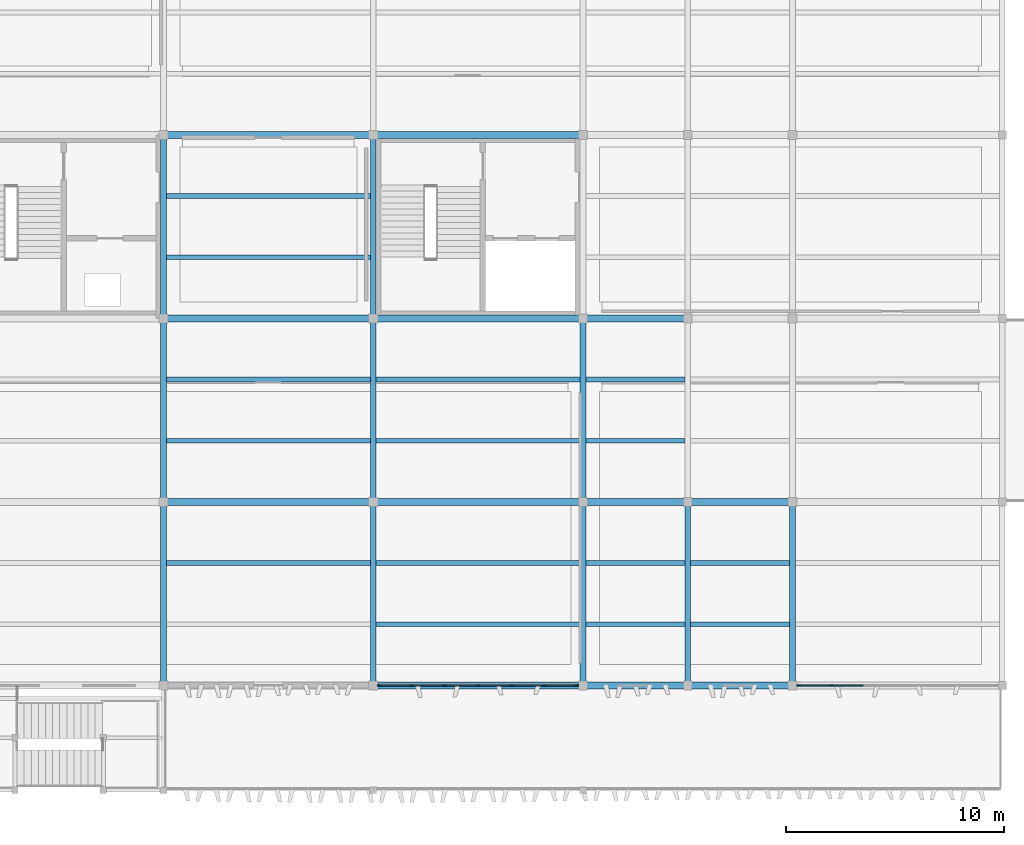
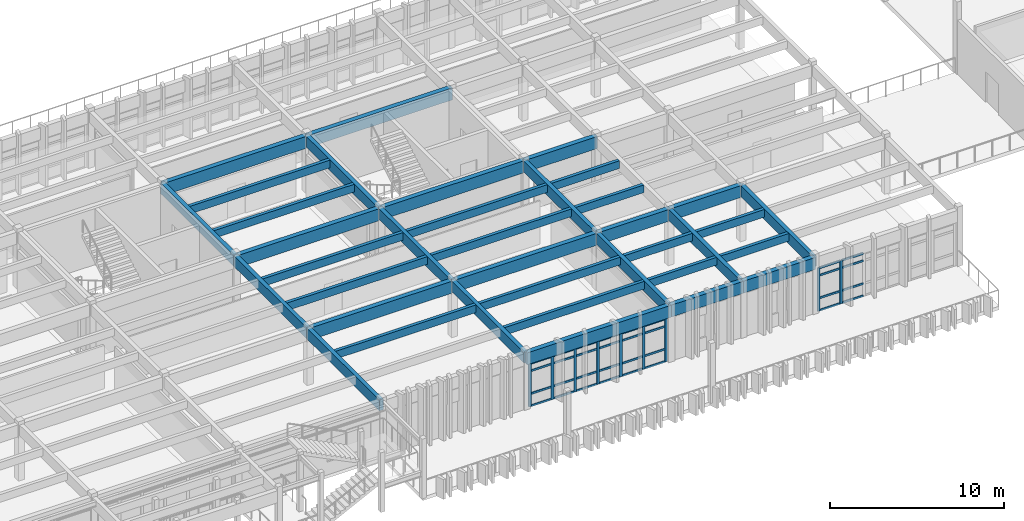
# One storey, part 15 of 61: 41 members, 37 beams, 2 elements without a shape of their own.
"""IFC4 building model written with IfcOpenShell, lengths in metres."""

from ifc_helpers import new_model, si_unit, direction, frame, origin, origin_2d, place, context, subcontext, project, spatial, rectangle, extrude, material, layer, layer_set, material_profile, profile_set, type_object, element, aggregate, save


model = new_model("IFC4")

# Units and contexts
model_context = context("Model", 3, precision=1e-05, world=origin(), true_north=direction((0.0, 1.0)))
body_context = subcontext(model_context, "Body", "Model", "MODEL_VIEW")
ifc_project = project(units=[si_unit("LENGTHUNIT", "METRE"), si_unit("AREAUNIT", "SQUARE_METRE"), si_unit("VOLUMEUNIT", "CUBIC_METRE"), si_unit("PLANEANGLEUNIT", "RADIAN"), si_unit("MASSUNIT", "GRAM", prefix="KILO")], contexts=[model_context])

# Site, building, storey
site_placement = place(None, origin())
site = spatial("IfcSite", under=ifc_project, at=site_placement, CompositionType="ELEMENT")
building_placement = place(site_placement, origin())
building = spatial("IfcBuilding", under=site, at=building_placement, Name="Kolvemor Railside Polytechnic", CompositionType="ELEMENT")
storey_placement = place(building_placement, frame((0.0, 0.0, 10.199951171875)))
storey = spatial("IfcBuildingStorey", under=building, at=storey_placement, Name="L02", CompositionType="ELEMENT", Elevation=10.199951171875)

# Beams
ifc_material_1 = material(Name="Glulam GL28h", Category="wood")
ifc_material_profile_1 = material_profile(ifc_material_1, rectangle(XDim=0.264892578125, YDim=0.760009765625, at=origin_2d()), Name="GL265x760")
ifc_profile_set_1 = profile_set([ifc_material_profile_1], Name="Glulam GL28h")
beam_type_1 = type_object("IfcBeamType", Name="BM-GL-GIRD1", PredefinedType="BEAM", material=ifc_profile_set_1)
beam_1_placement = place(storey_placement, frame((96.0, 4.800048828125, 3.570068359375), z_axis=(0.0, 1.0, 0.0), x_axis=(-1.0, 0.0, 0.0)))
element("IfcBeam", 1, at=beam_1_placement, inside=storey, type_object=beam_type_1, Name="Primary Girder L03-GY 1281", PredefinedType="BEAM", context=body_context, shape_type="SweptSolid", body=[
    extrude(rectangle(XDim=0.264892578125, YDim=0.760009765625, at=origin_2d()), origin(), (0.0, 0.0, 1.0), 8.39990234375),
])
beam_2_placement = place(storey_placement, frame((96.0, 13.199951171875, 3.570068359375), z_axis=(0.0, 1.0, 0.0), x_axis=(-1.0, 0.0, 0.0)))
element("IfcBeam", 2, at=beam_2_placement, inside=storey, type_object=beam_type_1, Name="Primary Girder L03-GY 1282", PredefinedType="BEAM", context=body_context, shape_type="SweptSolid", body=[
    extrude(rectangle(XDim=0.264892578125, YDim=0.760009765625, at=origin_2d()), origin(), (0.0, 0.0, 1.0), 8.400146484375),
])
for number, where, z_axis, x_axis, name in (
    (3, (96.0, 21.60009765625, 3.570068359375), (0.0, 1.0, 0.0), (-1.0, 0.0, 0.0), "Primary Girder L03-GY 1283"),
    (4, (105.60009765625, 4.800048828125, 3.570068359375), (0.0, 1.0, 0.0), (-1.0, 0.0, 0.0), "Primary Girder L03-GY 1285"),
):
    element("IfcBeam", number, at=place(storey_placement, frame(where, z_axis=z_axis, x_axis=x_axis)), inside=storey, type_object=beam_type_1, Name=name, PredefinedType="BEAM", context=body_context, shape_type="SweptSolid", body=[
        extrude(rectangle(XDim=0.264892578125, YDim=0.760009765625, at=origin_2d()), origin(), (0.0, 0.0, 1.0), 8.39990234375),
    ])
beam_3_placement = place(storey_placement, frame((105.60009765625, 13.199951171875, 3.570068359375), z_axis=(0.0, 1.0, 0.0), x_axis=(-1.0, 0.0, 0.0)))
element("IfcBeam", 5, at=beam_3_placement, inside=storey, type_object=beam_type_1, Name="Primary Girder L03-GY 1286", PredefinedType="BEAM", context=body_context, shape_type="SweptSolid", body=[
    extrude(rectangle(XDim=0.264892578125, YDim=0.760009765625, at=origin_2d()), origin(), (0.0, 0.0, 1.0), 8.400146484375),
])
for number, where, z_axis, x_axis, name in (
    (6, (105.60009765625, 21.60009765625, 3.570068359375), (0.0, 1.0, 0.0), (-1.0, 0.0, 0.0), "Primary Girder L03-GY 1287"),
    (7, (115.199951171875, 4.800048828125, 3.570068359375), (0.0, 1.0, 0.0), (-1.0, 0.0, 0.0), "Primary Girder L03-GY 1289"),
):
    element("IfcBeam", number, at=place(storey_placement, frame(where, z_axis=z_axis, x_axis=x_axis)), inside=storey, type_object=beam_type_1, Name=name, PredefinedType="BEAM", context=body_context, shape_type="SweptSolid", body=[
        extrude(rectangle(XDim=0.264892578125, YDim=0.760009765625, at=origin_2d()), origin(), (0.0, 0.0, 1.0), 8.39990234375),
    ])
beam_4_placement = place(storey_placement, frame((115.199951171875, 13.199951171875, 3.570068359375), z_axis=(0.0, 1.0, 0.0), x_axis=(-1.0, 0.0, 0.0)))
element("IfcBeam", 8, at=beam_4_placement, inside=storey, type_object=beam_type_1, Name="Primary Girder L03-GY 1290", PredefinedType="BEAM", context=body_context, shape_type="SweptSolid", body=[
    extrude(rectangle(XDim=0.264892578125, YDim=0.760009765625, at=origin_2d()), origin(), (0.0, 0.0, 1.0), 8.400146484375),
])
for number, where, z_axis, x_axis, name in (
    (9, (120.0, 4.800048828125, 3.570068359375), (0.0, 1.0, 0.0), (-1.0, 0.0, 0.0), "Primary Girder L03-GY 1293"),
    (10, (124.800048828125, 4.800048828125, 3.570068359375), (0.0, 1.0, 0.0), (-1.0, 0.0, 0.0), "Primary Girder L03-GY 1297"),
):
    element("IfcBeam", number, at=place(storey_placement, frame(where, z_axis=z_axis, x_axis=x_axis)), inside=storey, type_object=beam_type_1, Name=name, PredefinedType="BEAM", context=body_context, shape_type="SweptSolid", body=[
        extrude(rectangle(XDim=0.264892578125, YDim=0.760009765625, at=origin_2d()), origin(), (0.0, 0.0, 1.0), 8.39990234375),
    ])
ifc_material_2 = material(Name="Glulam GL28h", Category="wood")
ifc_material_profile_2 = material_profile(ifc_material_2, rectangle(XDim=0.31494140625, YDim=0.840087890625, at=origin_2d()), Name="GL315x840")
ifc_profile_set_2 = profile_set([ifc_material_profile_2], Name="Glulam GL28h")
beam_type_2 = type_object("IfcBeamType", Name="BM-GL-GIRD3", PredefinedType="BEAM", material=ifc_profile_set_2)
beam_5_placement = place(storey_placement, frame((105.60009765625, 4.800048828125, 3.530029296875), z_axis=(1.0, 0.0, 0.0), x_axis=(0.0, 1.0, 0.0)))
element("IfcBeam", 11, at=beam_5_placement, inside=storey, type_object=beam_type_2, Name="Primary Girder L03-GX 1222", PredefinedType="BEAM", context=body_context, shape_type="SweptSolid", body=[
    extrude(rectangle(XDim=0.31494140625, YDim=0.840087890625, at=origin_2d()), origin(), (0.0, 0.0, 1.0), 9.599853515625),
])
for number, where, z_axis, x_axis, name in (
    (12, (115.199951171875, 4.800048828125, 3.530029296875), (1.0, 0.0, 0.0), (0.0, 1.0, 0.0), "Primary Girder L03-GX 1223"),
    (13, (120.0, 4.800048828125, 3.530029296875), (1.0, 0.0, 0.0), (0.0, 1.0, 0.0), "Primary Girder L03-GX 1224"),
):
    element("IfcBeam", number, at=place(storey_placement, frame(where, z_axis=z_axis, x_axis=x_axis)), inside=storey, type_object=beam_type_2, Name=name, PredefinedType="BEAM", context=body_context, shape_type="SweptSolid", body=[
        extrude(rectangle(XDim=0.31494140625, YDim=0.840087890625, at=origin_2d()), origin(), (0.0, 0.0, 1.0), 4.800048828125),
    ])
beam_6_placement = place(storey_placement, frame((96.0, 13.199951171875, 3.530029296875), z_axis=(1.0, 0.0, 0.0), x_axis=(0.0, 1.0, 0.0)))
element("IfcBeam", 14, at=beam_6_placement, inside=storey, type_object=beam_type_2, Name="Primary Girder L03-GX 1230", PredefinedType="BEAM", context=body_context, shape_type="SweptSolid", body=[
    extrude(rectangle(XDim=0.31494140625, YDim=0.840087890625, at=origin_2d()), origin(), (0.0, 0.0, 1.0), 9.60009765625),
])
beam_7_placement = place(storey_placement, frame((105.60009765625, 13.199951171875, 3.530029296875), z_axis=(1.0, 0.0, 0.0), x_axis=(0.0, 1.0, 0.0)))
element("IfcBeam", 15, at=beam_7_placement, inside=storey, type_object=beam_type_2, Name="Primary Girder L03-GX 1231", PredefinedType="BEAM", context=body_context, shape_type="SweptSolid", body=[
    extrude(rectangle(XDim=0.31494140625, YDim=0.840087890625, at=origin_2d()), origin(), (0.0, 0.0, 1.0), 9.599853515625),
])
for number, where, z_axis, x_axis, name in (
    (16, (115.199951171875, 13.199951171875, 3.530029296875), (1.0, 0.0, 0.0), (0.0, 1.0, 0.0), "Primary Girder L03-GX 1232"),
    (17, (120.0, 13.199951171875, 3.530029296875), (1.0, 0.0, 0.0), (0.0, 1.0, 0.0), "Primary Girder L03-GX 1233"),
):
    element("IfcBeam", number, at=place(storey_placement, frame(where, z_axis=z_axis, x_axis=x_axis)), inside=storey, type_object=beam_type_2, Name=name, PredefinedType="BEAM", context=body_context, shape_type="SweptSolid", body=[
        extrude(rectangle(XDim=0.31494140625, YDim=0.840087890625, at=origin_2d()), origin(), (0.0, 0.0, 1.0), 4.800048828125),
    ])
beam_8_placement = place(storey_placement, frame((96.0, 21.60009765625, 3.530029296875), z_axis=(1.0, 0.0, 0.0), x_axis=(0.0, 1.0, 0.0)))
element("IfcBeam", 18, at=beam_8_placement, inside=storey, type_object=beam_type_2, Name="Primary Girder L03-GX 1239", PredefinedType="BEAM", context=body_context, shape_type="SweptSolid", body=[
    extrude(rectangle(XDim=0.31494140625, YDim=0.840087890625, at=origin_2d()), origin(), (0.0, 0.0, 1.0), 9.60009765625),
])
beam_9_placement = place(storey_placement, frame((105.60009765625, 21.60009765625, 3.530029296875), z_axis=(1.0, 0.0, 0.0), x_axis=(0.0, 1.0, 0.0)))
element("IfcBeam", 19, at=beam_9_placement, inside=storey, type_object=beam_type_2, Name="Primary Girder L03-GX 1240", PredefinedType="BEAM", context=body_context, shape_type="SweptSolid", body=[
    extrude(rectangle(XDim=0.31494140625, YDim=0.840087890625, at=origin_2d()), origin(), (0.0, 0.0, 1.0), 9.599853515625),
])
beam_10_placement = place(storey_placement, frame((115.199951171875, 21.60009765625, 3.530029296875), z_axis=(1.0, 0.0, 0.0), x_axis=(0.0, 1.0, 0.0)))
element("IfcBeam", 20, at=beam_10_placement, inside=storey, type_object=beam_type_2, Name="Primary Girder L03-GX 1241", PredefinedType="BEAM", context=body_context, shape_type="SweptSolid", body=[
    extrude(rectangle(XDim=0.31494140625, YDim=0.840087890625, at=origin_2d()), origin(), (0.0, 0.0, 1.0), 4.800048828125),
])
beam_11_placement = place(storey_placement, frame((96.0, 30.0, 3.530029296875), z_axis=(1.0, 0.0, 0.0), x_axis=(0.0, 1.0, 0.0)))
element("IfcBeam", 21, at=beam_11_placement, inside=storey, type_object=beam_type_2, Name="Primary Girder L03-GX 1248", PredefinedType="BEAM", context=body_context, shape_type="SweptSolid", body=[
    extrude(rectangle(XDim=0.31494140625, YDim=0.840087890625, at=origin_2d()), origin(), (0.0, 0.0, 1.0), 9.60009765625),
])
beam_12_placement = place(storey_placement, frame((105.60009765625, 30.0, 3.530029296875), z_axis=(1.0, 0.0, 0.0), x_axis=(0.0, 1.0, 0.0)))
element("IfcBeam", 22, at=beam_12_placement, inside=storey, type_object=beam_type_2, Name="Primary Girder L03-GX 1249", PredefinedType="BEAM", context=body_context, shape_type="SweptSolid", body=[
    extrude(rectangle(XDim=0.31494140625, YDim=0.840087890625, at=origin_2d()), origin(), (0.0, 0.0, 1.0), 9.599853515625),
])
ifc_material_3 = material(Name="Glulam GL28h", Category="wood")
ifc_material_profile_3 = material_profile(ifc_material_3, rectangle(XDim=0.215087890625, YDim=0.5400390625, at=origin_2d()), Name="GL215x540")
ifc_profile_set_3 = profile_set([ifc_material_profile_3], Name="Glulam GL28h")
beam_type_3 = type_object("IfcBeamType", Name="BM-GL-JST1", PredefinedType="JOIST", material=ifc_profile_set_3)
for number, where, z_axis, x_axis, name in (
    (23, (96.133056640625, 10.39990234375, 3.679931640625), (1.0, 0.0, 0.0), (0.0, 1.0, 0.0), "Floor Joist L03-J1338"),
    (24, (96.133056640625, 16.0, 3.679931640625), (1.0, 0.0, 0.0), (0.0, 1.0, 0.0), "Floor Joist L03-J1339"),
    (25, (96.133056640625, 18.800048828125, 3.679931640625), (1.0, 0.0, 0.0), (0.0, 1.0, 0.0), "Floor Joist L03-J1340"),
    (26, (96.133056640625, 24.39990234375, 3.679931640625), (1.0, 0.0, 0.0), (0.0, 1.0, 0.0), "Floor Joist L03-J1341"),
    (27, (96.133056640625, 27.199951171875, 3.679931640625), (1.0, 0.0, 0.0), (0.0, 1.0, 0.0), "Floor Joist L03-J1342"),
    (28, (105.73291015625, 7.60009765625, 3.679931640625), (1.0, 0.0, 0.0), (0.0, 1.0, 0.0), "Floor Joist L03-J1345"),
    (29, (105.73291015625, 10.39990234375, 3.679931640625), (1.0, 0.0, 0.0), (0.0, 1.0, 0.0), "Floor Joist L03-J1346"),
    (30, (105.73291015625, 16.0, 3.679931640625), (1.0, 0.0, 0.0), (0.0, 1.0, 0.0), "Floor Joist L03-J1347"),
    (31, (105.73291015625, 18.800048828125, 3.679931640625), (1.0, 0.0, 0.0), (0.0, 1.0, 0.0), "Floor Joist L03-J1348"),
):
    element("IfcBeam", number, at=place(storey_placement, frame(where, z_axis=z_axis, x_axis=x_axis)), inside=storey, type_object=beam_type_3, Name=name, PredefinedType="JOIST", context=body_context, shape_type="SweptSolid", body=[
        extrude(rectangle(XDim=0.215087890625, YDim=0.5400390625, at=origin_2d()), origin(), (0.0, 0.0, 1.0), 9.333984375),
    ])
for number, where, z_axis, x_axis, name in (
    (32, (115.3330078125, 7.60009765625, 3.679931640625), (1.0, 0.0, 0.0), (0.0, 1.0, 0.0), "Floor Joist L03-J1351"),
    (33, (115.3330078125, 10.39990234375, 3.679931640625), (1.0, 0.0, 0.0), (0.0, 1.0, 0.0), "Floor Joist L03-J1352"),
    (34, (115.3330078125, 16.0, 3.679931640625), (1.0, 0.0, 0.0), (0.0, 1.0, 0.0), "Floor Joist L03-J1353"),
    (35, (115.3330078125, 18.800048828125, 3.679931640625), (1.0, 0.0, 0.0), (0.0, 1.0, 0.0), "Floor Joist L03-J1354"),
    (36, (120.133056640625, 7.60009765625, 3.679931640625), (1.0, 0.0, 0.0), (0.0, 1.0, 0.0), "Floor Joist L03-J1359"),
    (37, (120.133056640625, 10.39990234375, 3.679931640625), (1.0, 0.0, 0.0), (0.0, 1.0, 0.0), "Floor Joist L03-J1360"),
):
    element("IfcBeam", number, at=place(storey_placement, frame(where, z_axis=z_axis, x_axis=x_axis)), inside=storey, type_object=beam_type_3, Name=name, PredefinedType="JOIST", context=body_context, shape_type="SweptSolid", body=[
        extrude(rectangle(XDim=0.215087890625, YDim=0.5400390625, at=origin_2d()), origin(), (0.0, 0.0, 1.0), 4.533935546875),
    ])

# Curtain wall, members
ifc_material_4 = material(Name="Anodised marine aluminium and laminated low-E glass", Category="aluminium")
ifc_layer = layer(ifc_material_4, 0.179931640625, Name="CW-UNIT-STD")
ifc_layer_set = layer_set([ifc_layer], Name="Anodised marine aluminium and laminated low-E glass")
curtain_wall_type = type_object("IfcCurtainWallType", Name="CW-UNIT-STD", PredefinedType="USERDEFINED", material=ifc_layer_set)
curtain_wall_1_placement = place(storey_placement, origin())
curtain_wall_1 = element("IfcCurtainWall", 38, at=curtain_wall_1_placement, inside=storey, type_object=curtain_wall_type, Name="Curtain Wall L02-099", ObjectType="UNITISED CURTAIN WALL", PredefinedType="USERDEFINED")
ifc_material_5 = material(Name="Anodised marine aluminium 6063-T6", Category="aluminium")
ifc_material_profile_4 = material_profile(ifc_material_5, rectangle(XDim=0.074951171875, YDim=0.179931640625, at=origin_2d()), Name="CW-MUL-75x180")
ifc_profile_set_4 = profile_set([ifc_material_profile_4], Name="Anodised marine aluminium 6063-T6")
member_type_1 = type_object("IfcMemberType", Name="CWM-75x180", PredefinedType="MULLION", material=ifc_profile_set_4)
member_1_placement = place(storey_placement, frame((105.87744140625, 4.800048828125, 0.0), z_axis=(0.0, 0.0, 1.0), x_axis=(0.0, 1.0, 0.0)))
member_1 = element("IfcMember", 39, at=member_1_placement, type_object=member_type_1, Name="CW-STD mullion 1", PredefinedType="MULLION", context=body_context, shape_type="SweptSolid", body=[
    extrude(rectangle(XDim=0.074951171875, YDim=0.179931640625, at=origin_2d()), origin(), (0.0, 0.0, 1.0), 3.050048828125),
])
member_2_placement = place(storey_placement, frame((107.360107421875, 4.800048828125, 0.0), z_axis=(0.0, 0.0, 1.0), x_axis=(0.0, 1.0, 0.0)))
member_2 = element("IfcMember", 40, at=member_2_placement, type_object=member_type_1, Name="CW-STD mullion 2", PredefinedType="MULLION", context=body_context, shape_type="SweptSolid", body=[
    extrude(rectangle(XDim=0.074951171875, YDim=0.179931640625, at=origin_2d()), origin(), (0.0, 0.0, 1.0), 3.050048828125),
])
member_3_placement = place(storey_placement, frame((108.8798828125, 4.800048828125, 0.0), z_axis=(0.0, 0.0, 1.0), x_axis=(0.0, 1.0, 0.0)))
member_3 = element("IfcMember", 41, at=member_3_placement, type_object=member_type_1, Name="CW-STD mullion 3", PredefinedType="MULLION", context=body_context, shape_type="SweptSolid", body=[
    extrude(rectangle(XDim=0.074951171875, YDim=0.179931640625, at=origin_2d()), origin(), (0.0, 0.0, 1.0), 3.050048828125),
])
member_4_placement = place(storey_placement, frame((110.39990234375, 4.800048828125, 0.0), z_axis=(0.0, 0.0, 1.0), x_axis=(0.0, 1.0, 0.0)))
member_4 = element("IfcMember", 42, at=member_4_placement, type_object=member_type_1, Name="CW-STD mullion 4", PredefinedType="MULLION", context=body_context, shape_type="SweptSolid", body=[
    extrude(rectangle(XDim=0.074951171875, YDim=0.179931640625, at=origin_2d()), origin(), (0.0, 0.0, 1.0), 3.050048828125),
])
member_5_placement = place(storey_placement, frame((111.919921875, 4.800048828125, 0.0), z_axis=(0.0, 0.0, 1.0), x_axis=(0.0, 1.0, 0.0)))
member_5 = element("IfcMember", 43, at=member_5_placement, type_object=member_type_1, Name="CW-STD mullion 5", PredefinedType="MULLION", context=body_context, shape_type="SweptSolid", body=[
    extrude(rectangle(XDim=0.074951171875, YDim=0.179931640625, at=origin_2d()), origin(), (0.0, 0.0, 1.0), 3.050048828125),
])
member_6_placement = place(storey_placement, frame((113.43994140625, 4.800048828125, 0.0), z_axis=(0.0, 0.0, 1.0), x_axis=(0.0, 1.0, 0.0)))
member_6 = element("IfcMember", 44, at=member_6_placement, type_object=member_type_1, Name="CW-STD mullion 6", PredefinedType="MULLION", context=body_context, shape_type="SweptSolid", body=[
    extrude(rectangle(XDim=0.074951171875, YDim=0.179931640625, at=origin_2d()), origin(), (0.0, 0.0, 1.0), 3.050048828125),
])
member_7_placement = place(storey_placement, frame((114.922607421875, 4.800048828125, 0.0), z_axis=(0.0, 0.0, 1.0), x_axis=(0.0, 1.0, 0.0)))
member_7 = element("IfcMember", 45, at=member_7_placement, type_object=member_type_1, Name="CW-STD mullion 7", PredefinedType="MULLION", context=body_context, shape_type="SweptSolid", body=[
    extrude(rectangle(XDim=0.074951171875, YDim=0.179931640625, at=origin_2d()), origin(), (0.0, 0.0, 1.0), 3.050048828125),
])

curtain_wall_2_placement = place(storey_placement, origin())
curtain_wall_2 = element("IfcCurtainWall", 46, at=curtain_wall_2_placement, inside=storey, type_object=curtain_wall_type, Name="Curtain Wall L02-100", ObjectType="UNITISED CURTAIN WALL", PredefinedType="USERDEFINED")
member_8_placement = place(storey_placement, frame((125.077392578125, 4.800048828125, 0.0), z_axis=(0.0, 0.0, 1.0), x_axis=(0.0, 1.0, 0.0)))
member_8 = element("IfcMember", 47, at=member_8_placement, type_object=member_type_1, Name="CW-STD mullion 1", PredefinedType="MULLION", context=body_context, shape_type="SweptSolid", body=[
    extrude(rectangle(XDim=0.074951171875, YDim=0.179931640625, at=origin_2d()), origin(), (0.0, 0.0, 1.0), 3.050048828125),
])
member_9_placement = place(storey_placement, frame((126.56005859375, 4.800048828125, 0.0), z_axis=(0.0, 0.0, 1.0), x_axis=(0.0, 1.0, 0.0)))
member_9 = element("IfcMember", 48, at=member_9_placement, type_object=member_type_1, Name="CW-STD mullion 2", PredefinedType="MULLION", context=body_context, shape_type="SweptSolid", body=[
    extrude(rectangle(XDim=0.074951171875, YDim=0.179931640625, at=origin_2d()), origin(), (0.0, 0.0, 1.0), 3.050048828125),
])

# Member
ifc_material_6 = material(Name="Anodised marine aluminium 6063-T6", Category="aluminium")
ifc_material_profile_5 = material_profile(ifc_material_6, rectangle(XDim=0.074951171875, YDim=0.139892578125, at=origin_2d()), Name="CW-TRN-75x140")
ifc_profile_set_5 = profile_set([ifc_material_profile_5], Name="Anodised marine aluminium 6063-T6")
member_type_2 = type_object("IfcMemberType", Name="CWT-75x140", PredefinedType="USERDEFINED", material=ifc_profile_set_5)
member_10_placement = place(storey_placement, frame((105.9150390625, 4.800048828125, 0.03759765625), z_axis=(1.0, 0.0, 0.0), x_axis=(0.0, 1.0, 0.0)))
member_10 = element("IfcMember", 49, at=member_10_placement, type_object=member_type_2, Name="CW-STD transom 1.1", ObjectType="TRANSOM", PredefinedType="USERDEFINED", context=body_context, shape_type="SweptSolid", body=[
    extrude(rectangle(XDim=0.074951171875, YDim=0.139892578125, at=origin_2d()), origin(), (0.0, 0.0, 1.0), 1.407470703125),
])

member_11_placement = place(storey_placement, frame((105.9150390625, 4.800048828125, 0.900146484375), z_axis=(1.0, 0.0, 0.0), x_axis=(0.0, 1.0, 0.0)))
member_11 = element("IfcMember", 50, at=member_11_placement, type_object=member_type_2, Name="CW-STD transom 1.2", ObjectType="TRANSOM", PredefinedType="USERDEFINED", context=body_context, shape_type="SweptSolid", body=[
    extrude(rectangle(XDim=0.074951171875, YDim=0.139892578125, at=origin_2d()), origin(), (0.0, 0.0, 1.0), 1.407470703125),
])

member_12_placement = place(storey_placement, frame((105.9150390625, 4.800048828125, 2.5), z_axis=(1.0, 0.0, 0.0), x_axis=(0.0, 1.0, 0.0)))
member_12 = element("IfcMember", 51, at=member_12_placement, type_object=member_type_2, Name="CW-STD transom 1.3", ObjectType="TRANSOM", PredefinedType="USERDEFINED", context=body_context, shape_type="SweptSolid", body=[
    extrude(rectangle(XDim=0.074951171875, YDim=0.139892578125, at=origin_2d()), origin(), (0.0, 0.0, 1.0), 1.407470703125),
])

member_13_placement = place(storey_placement, frame((105.9150390625, 4.800048828125, 3.012451171875), z_axis=(1.0, 0.0, 0.0), x_axis=(0.0, 1.0, 0.0)))
member_13 = element("IfcMember", 52, at=member_13_placement, type_object=member_type_2, Name="CW-STD transom 1.4", ObjectType="TRANSOM", PredefinedType="USERDEFINED", context=body_context, shape_type="SweptSolid", body=[
    extrude(rectangle(XDim=0.074951171875, YDim=0.139892578125, at=origin_2d()), origin(), (0.0, 0.0, 1.0), 1.407470703125),
])

member_14_placement = place(storey_placement, frame((107.3974609375, 4.800048828125, 0.03759765625), z_axis=(1.0, 0.0, 0.0), x_axis=(0.0, 1.0, 0.0)))
member_14 = element("IfcMember", 53, at=member_14_placement, type_object=member_type_2, Name="CW-STD transom 2.1", ObjectType="TRANSOM", PredefinedType="USERDEFINED", context=body_context, shape_type="SweptSolid", body=[
    extrude(rectangle(XDim=0.074951171875, YDim=0.139892578125, at=origin_2d()), origin(), (0.0, 0.0, 1.0), 1.445068359375),
])

member_15_placement = place(storey_placement, frame((107.3974609375, 4.800048828125, 0.900146484375), z_axis=(1.0, 0.0, 0.0), x_axis=(0.0, 1.0, 0.0)))
member_15 = element("IfcMember", 54, at=member_15_placement, type_object=member_type_2, Name="CW-STD transom 2.2", ObjectType="TRANSOM", PredefinedType="USERDEFINED", context=body_context, shape_type="SweptSolid", body=[
    extrude(rectangle(XDim=0.074951171875, YDim=0.139892578125, at=origin_2d()), origin(), (0.0, 0.0, 1.0), 1.445068359375),
])

member_16_placement = place(storey_placement, frame((107.3974609375, 4.800048828125, 2.5), z_axis=(1.0, 0.0, 0.0), x_axis=(0.0, 1.0, 0.0)))
member_16 = element("IfcMember", 55, at=member_16_placement, type_object=member_type_2, Name="CW-STD transom 2.3", ObjectType="TRANSOM", PredefinedType="USERDEFINED", context=body_context, shape_type="SweptSolid", body=[
    extrude(rectangle(XDim=0.074951171875, YDim=0.139892578125, at=origin_2d()), origin(), (0.0, 0.0, 1.0), 1.445068359375),
])

member_17_placement = place(storey_placement, frame((107.3974609375, 4.800048828125, 3.012451171875), z_axis=(1.0, 0.0, 0.0), x_axis=(0.0, 1.0, 0.0)))
member_17 = element("IfcMember", 56, at=member_17_placement, type_object=member_type_2, Name="CW-STD transom 2.4", ObjectType="TRANSOM", PredefinedType="USERDEFINED", context=body_context, shape_type="SweptSolid", body=[
    extrude(rectangle(XDim=0.074951171875, YDim=0.139892578125, at=origin_2d()), origin(), (0.0, 0.0, 1.0), 1.445068359375),
])

member_18_placement = place(storey_placement, frame((108.91748046875, 4.800048828125, 0.03759765625), z_axis=(1.0, 0.0, 0.0), x_axis=(0.0, 1.0, 0.0)))
member_18 = element("IfcMember", 57, at=member_18_placement, type_object=member_type_2, Name="CW-STD transom 3.1", ObjectType="TRANSOM", PredefinedType="USERDEFINED", context=body_context, shape_type="SweptSolid", body=[
    extrude(rectangle(XDim=0.074951171875, YDim=0.139892578125, at=origin_2d()), origin(), (0.0, 0.0, 1.0), 1.445068359375),
])

member_19_placement = place(storey_placement, frame((108.91748046875, 4.800048828125, 0.900146484375), z_axis=(1.0, 0.0, 0.0), x_axis=(0.0, 1.0, 0.0)))
member_19 = element("IfcMember", 58, at=member_19_placement, type_object=member_type_2, Name="CW-STD transom 3.2", ObjectType="TRANSOM", PredefinedType="USERDEFINED", context=body_context, shape_type="SweptSolid", body=[
    extrude(rectangle(XDim=0.074951171875, YDim=0.139892578125, at=origin_2d()), origin(), (0.0, 0.0, 1.0), 1.445068359375),
])

member_20_placement = place(storey_placement, frame((108.91748046875, 4.800048828125, 2.5), z_axis=(1.0, 0.0, 0.0), x_axis=(0.0, 1.0, 0.0)))
member_20 = element("IfcMember", 59, at=member_20_placement, type_object=member_type_2, Name="CW-STD transom 3.3", ObjectType="TRANSOM", PredefinedType="USERDEFINED", context=body_context, shape_type="SweptSolid", body=[
    extrude(rectangle(XDim=0.074951171875, YDim=0.139892578125, at=origin_2d()), origin(), (0.0, 0.0, 1.0), 1.445068359375),
])

member_21_placement = place(storey_placement, frame((108.91748046875, 4.800048828125, 3.012451171875), z_axis=(1.0, 0.0, 0.0), x_axis=(0.0, 1.0, 0.0)))
member_21 = element("IfcMember", 60, at=member_21_placement, type_object=member_type_2, Name="CW-STD transom 3.4", ObjectType="TRANSOM", PredefinedType="USERDEFINED", context=body_context, shape_type="SweptSolid", body=[
    extrude(rectangle(XDim=0.074951171875, YDim=0.139892578125, at=origin_2d()), origin(), (0.0, 0.0, 1.0), 1.445068359375),
])

member_22_placement = place(storey_placement, frame((110.4375, 4.800048828125, 0.03759765625), z_axis=(1.0, 0.0, 0.0), x_axis=(0.0, 1.0, 0.0)))
member_22 = element("IfcMember", 61, at=member_22_placement, type_object=member_type_2, Name="CW-STD transom 4.1", ObjectType="TRANSOM", PredefinedType="USERDEFINED", context=body_context, shape_type="SweptSolid", body=[
    extrude(rectangle(XDim=0.074951171875, YDim=0.139892578125, at=origin_2d()), origin(), (0.0, 0.0, 1.0), 1.445068359375),
])

member_23_placement = place(storey_placement, frame((110.4375, 4.800048828125, 0.900146484375), z_axis=(1.0, 0.0, 0.0), x_axis=(0.0, 1.0, 0.0)))
member_23 = element("IfcMember", 62, at=member_23_placement, type_object=member_type_2, Name="CW-STD transom 4.2", ObjectType="TRANSOM", PredefinedType="USERDEFINED", context=body_context, shape_type="SweptSolid", body=[
    extrude(rectangle(XDim=0.074951171875, YDim=0.139892578125, at=origin_2d()), origin(), (0.0, 0.0, 1.0), 1.445068359375),
])

member_24_placement = place(storey_placement, frame((110.4375, 4.800048828125, 2.5), z_axis=(1.0, 0.0, 0.0), x_axis=(0.0, 1.0, 0.0)))
member_24 = element("IfcMember", 63, at=member_24_placement, type_object=member_type_2, Name="CW-STD transom 4.3", ObjectType="TRANSOM", PredefinedType="USERDEFINED", context=body_context, shape_type="SweptSolid", body=[
    extrude(rectangle(XDim=0.074951171875, YDim=0.139892578125, at=origin_2d()), origin(), (0.0, 0.0, 1.0), 1.445068359375),
])

member_25_placement = place(storey_placement, frame((110.4375, 4.800048828125, 3.012451171875), z_axis=(1.0, 0.0, 0.0), x_axis=(0.0, 1.0, 0.0)))
member_25 = element("IfcMember", 64, at=member_25_placement, type_object=member_type_2, Name="CW-STD transom 4.4", ObjectType="TRANSOM", PredefinedType="USERDEFINED", context=body_context, shape_type="SweptSolid", body=[
    extrude(rectangle(XDim=0.074951171875, YDim=0.139892578125, at=origin_2d()), origin(), (0.0, 0.0, 1.0), 1.445068359375),
])

member_26_placement = place(storey_placement, frame((111.95751953125, 4.800048828125, 0.03759765625), z_axis=(1.0, 0.0, 0.0), x_axis=(0.0, 1.0, 0.0)))
member_26 = element("IfcMember", 65, at=member_26_placement, type_object=member_type_2, Name="CW-STD transom 5.1", ObjectType="TRANSOM", PredefinedType="USERDEFINED", context=body_context, shape_type="SweptSolid", body=[
    extrude(rectangle(XDim=0.074951171875, YDim=0.139892578125, at=origin_2d()), origin(), (0.0, 0.0, 1.0), 1.445068359375),
])

member_27_placement = place(storey_placement, frame((111.95751953125, 4.800048828125, 0.900146484375), z_axis=(1.0, 0.0, 0.0), x_axis=(0.0, 1.0, 0.0)))
member_27 = element("IfcMember", 66, at=member_27_placement, type_object=member_type_2, Name="CW-STD transom 5.2", ObjectType="TRANSOM", PredefinedType="USERDEFINED", context=body_context, shape_type="SweptSolid", body=[
    extrude(rectangle(XDim=0.074951171875, YDim=0.139892578125, at=origin_2d()), origin(), (0.0, 0.0, 1.0), 1.445068359375),
])

member_28_placement = place(storey_placement, frame((111.95751953125, 4.800048828125, 2.5), z_axis=(1.0, 0.0, 0.0), x_axis=(0.0, 1.0, 0.0)))
member_28 = element("IfcMember", 67, at=member_28_placement, type_object=member_type_2, Name="CW-STD transom 5.3", ObjectType="TRANSOM", PredefinedType="USERDEFINED", context=body_context, shape_type="SweptSolid", body=[
    extrude(rectangle(XDim=0.074951171875, YDim=0.139892578125, at=origin_2d()), origin(), (0.0, 0.0, 1.0), 1.445068359375),
])

member_29_placement = place(storey_placement, frame((111.95751953125, 4.800048828125, 3.012451171875), z_axis=(1.0, 0.0, 0.0), x_axis=(0.0, 1.0, 0.0)))
member_29 = element("IfcMember", 68, at=member_29_placement, type_object=member_type_2, Name="CW-STD transom 5.4", ObjectType="TRANSOM", PredefinedType="USERDEFINED", context=body_context, shape_type="SweptSolid", body=[
    extrude(rectangle(XDim=0.074951171875, YDim=0.139892578125, at=origin_2d()), origin(), (0.0, 0.0, 1.0), 1.445068359375),
])

member_30_placement = place(storey_placement, frame((113.4775390625, 4.800048828125, 0.03759765625), z_axis=(1.0, 0.0, 0.0), x_axis=(0.0, 1.0, 0.0)))
member_30 = element("IfcMember", 69, at=member_30_placement, type_object=member_type_2, Name="CW-STD transom 6.1", ObjectType="TRANSOM", PredefinedType="USERDEFINED", context=body_context, shape_type="SweptSolid", body=[
    extrude(rectangle(XDim=0.074951171875, YDim=0.139892578125, at=origin_2d()), origin(), (0.0, 0.0, 1.0), 1.407470703125),
])

member_31_placement = place(storey_placement, frame((113.4775390625, 4.800048828125, 0.900146484375), z_axis=(1.0, 0.0, 0.0), x_axis=(0.0, 1.0, 0.0)))
member_31 = element("IfcMember", 70, at=member_31_placement, type_object=member_type_2, Name="CW-STD transom 6.2", ObjectType="TRANSOM", PredefinedType="USERDEFINED", context=body_context, shape_type="SweptSolid", body=[
    extrude(rectangle(XDim=0.074951171875, YDim=0.139892578125, at=origin_2d()), origin(), (0.0, 0.0, 1.0), 1.407470703125),
])

member_32_placement = place(storey_placement, frame((113.4775390625, 4.800048828125, 2.5), z_axis=(1.0, 0.0, 0.0), x_axis=(0.0, 1.0, 0.0)))
member_32 = element("IfcMember", 71, at=member_32_placement, type_object=member_type_2, Name="CW-STD transom 6.3", ObjectType="TRANSOM", PredefinedType="USERDEFINED", context=body_context, shape_type="SweptSolid", body=[
    extrude(rectangle(XDim=0.074951171875, YDim=0.139892578125, at=origin_2d()), origin(), (0.0, 0.0, 1.0), 1.407470703125),
])

member_33_placement = place(storey_placement, frame((113.4775390625, 4.800048828125, 3.012451171875), z_axis=(1.0, 0.0, 0.0), x_axis=(0.0, 1.0, 0.0)))
member_33 = element("IfcMember", 72, at=member_33_placement, type_object=member_type_2, Name="CW-STD transom 6.4", ObjectType="TRANSOM", PredefinedType="USERDEFINED", context=body_context, shape_type="SweptSolid", body=[
    extrude(rectangle(XDim=0.074951171875, YDim=0.139892578125, at=origin_2d()), origin(), (0.0, 0.0, 1.0), 1.407470703125),
])

aggregate(curtain_wall_1, [member_1, member_2, member_3, member_4, member_5, member_6, member_7, member_10, member_11, member_12, member_13, member_14, member_15, member_16, member_17, member_18, member_19, member_20, member_21, member_22, member_23, member_24, member_25, member_26, member_27, member_28, member_29, member_30, member_31, member_32, member_33])

member_34_placement = place(storey_placement, frame((125.114990234375, 4.800048828125, 0.03759765625), z_axis=(1.0, 0.0, 0.0), x_axis=(0.0, 1.0, 0.0)))
member_34 = element("IfcMember", 73, at=member_34_placement, type_object=member_type_2, Name="CW-STD transom 1.1", ObjectType="TRANSOM", PredefinedType="USERDEFINED", context=body_context, shape_type="SweptSolid", body=[
    extrude(rectangle(XDim=0.074951171875, YDim=0.139892578125, at=origin_2d()), origin(), (0.0, 0.0, 1.0), 1.407470703125),
])

member_35_placement = place(storey_placement, frame((125.114990234375, 4.800048828125, 0.900146484375), z_axis=(1.0, 0.0, 0.0), x_axis=(0.0, 1.0, 0.0)))
member_35 = element("IfcMember", 74, at=member_35_placement, type_object=member_type_2, Name="CW-STD transom 1.2", ObjectType="TRANSOM", PredefinedType="USERDEFINED", context=body_context, shape_type="SweptSolid", body=[
    extrude(rectangle(XDim=0.074951171875, YDim=0.139892578125, at=origin_2d()), origin(), (0.0, 0.0, 1.0), 1.407470703125),
])

member_36_placement = place(storey_placement, frame((125.114990234375, 4.800048828125, 2.5), z_axis=(1.0, 0.0, 0.0), x_axis=(0.0, 1.0, 0.0)))
member_36 = element("IfcMember", 75, at=member_36_placement, type_object=member_type_2, Name="CW-STD transom 1.3", ObjectType="TRANSOM", PredefinedType="USERDEFINED", context=body_context, shape_type="SweptSolid", body=[
    extrude(rectangle(XDim=0.074951171875, YDim=0.139892578125, at=origin_2d()), origin(), (0.0, 0.0, 1.0), 1.407470703125),
])

member_37_placement = place(storey_placement, frame((125.114990234375, 4.800048828125, 3.012451171875), z_axis=(1.0, 0.0, 0.0), x_axis=(0.0, 1.0, 0.0)))
member_37 = element("IfcMember", 76, at=member_37_placement, type_object=member_type_2, Name="CW-STD transom 1.4", ObjectType="TRANSOM", PredefinedType="USERDEFINED", context=body_context, shape_type="SweptSolid", body=[
    extrude(rectangle(XDim=0.074951171875, YDim=0.139892578125, at=origin_2d()), origin(), (0.0, 0.0, 1.0), 1.407470703125),
])

member_38_placement = place(storey_placement, frame((126.597412109375, 4.800048828125, 0.03759765625), z_axis=(1.0, 0.0, 0.0), x_axis=(0.0, 1.0, 0.0)))
member_38 = element("IfcMember", 77, at=member_38_placement, type_object=member_type_2, Name="CW-STD transom 2.1", ObjectType="TRANSOM", PredefinedType="USERDEFINED", context=body_context, shape_type="SweptSolid", body=[
    extrude(rectangle(XDim=0.074951171875, YDim=0.139892578125, at=origin_2d()), origin(), (0.0, 0.0, 1.0), 1.445068359375),
])

member_39_placement = place(storey_placement, frame((126.597412109375, 4.800048828125, 0.900146484375), z_axis=(1.0, 0.0, 0.0), x_axis=(0.0, 1.0, 0.0)))
member_39 = element("IfcMember", 78, at=member_39_placement, type_object=member_type_2, Name="CW-STD transom 2.2", ObjectType="TRANSOM", PredefinedType="USERDEFINED", context=body_context, shape_type="SweptSolid", body=[
    extrude(rectangle(XDim=0.074951171875, YDim=0.139892578125, at=origin_2d()), origin(), (0.0, 0.0, 1.0), 1.445068359375),
])

member_40_placement = place(storey_placement, frame((126.597412109375, 4.800048828125, 2.5), z_axis=(1.0, 0.0, 0.0), x_axis=(0.0, 1.0, 0.0)))
member_40 = element("IfcMember", 79, at=member_40_placement, type_object=member_type_2, Name="CW-STD transom 2.3", ObjectType="TRANSOM", PredefinedType="USERDEFINED", context=body_context, shape_type="SweptSolid", body=[
    extrude(rectangle(XDim=0.074951171875, YDim=0.139892578125, at=origin_2d()), origin(), (0.0, 0.0, 1.0), 1.445068359375),
])

member_41_placement = place(storey_placement, frame((126.597412109375, 4.800048828125, 3.012451171875), z_axis=(1.0, 0.0, 0.0), x_axis=(0.0, 1.0, 0.0)))
member_41 = element("IfcMember", 80, at=member_41_placement, type_object=member_type_2, Name="CW-STD transom 2.4", ObjectType="TRANSOM", PredefinedType="USERDEFINED", context=body_context, shape_type="SweptSolid", body=[
    extrude(rectangle(XDim=0.074951171875, YDim=0.139892578125, at=origin_2d()), origin(), (0.0, 0.0, 1.0), 1.445068359375),
])

aggregate(curtain_wall_2, [member_8, member_9, member_34, member_35, member_36, member_37, member_38, member_39, member_40, member_41])

save(model, "model.ifc")
